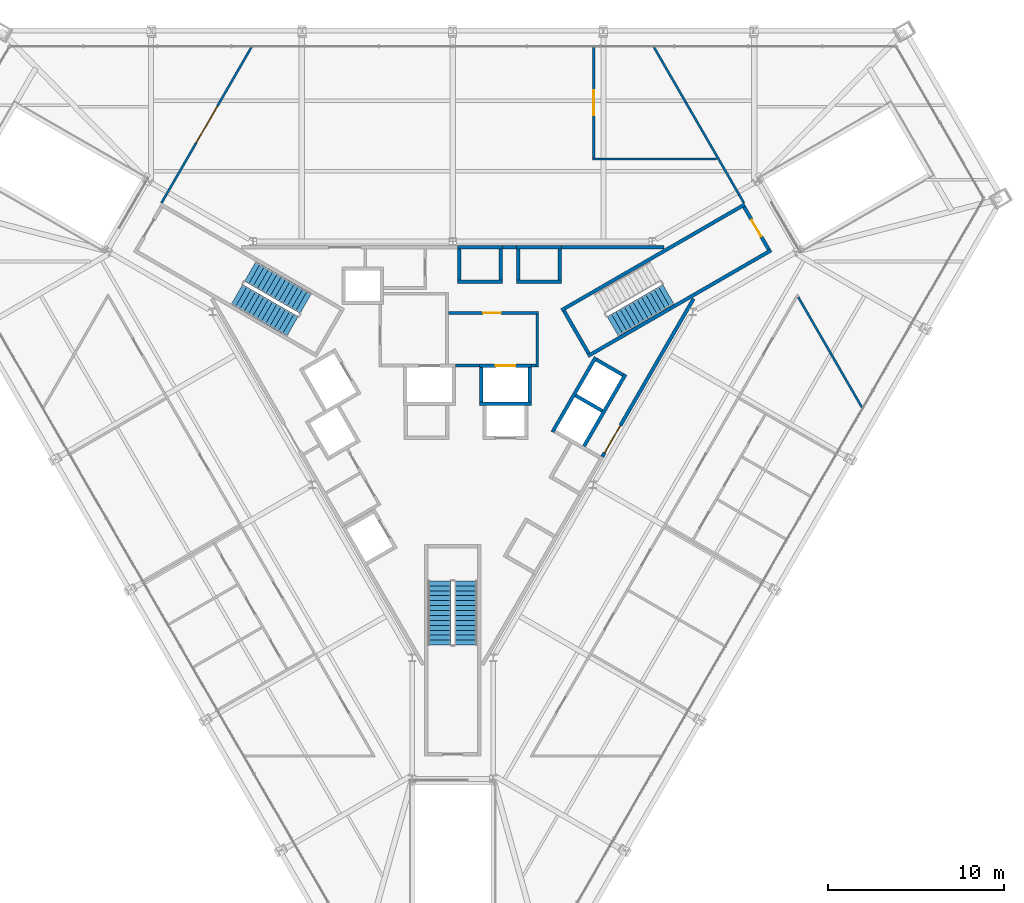
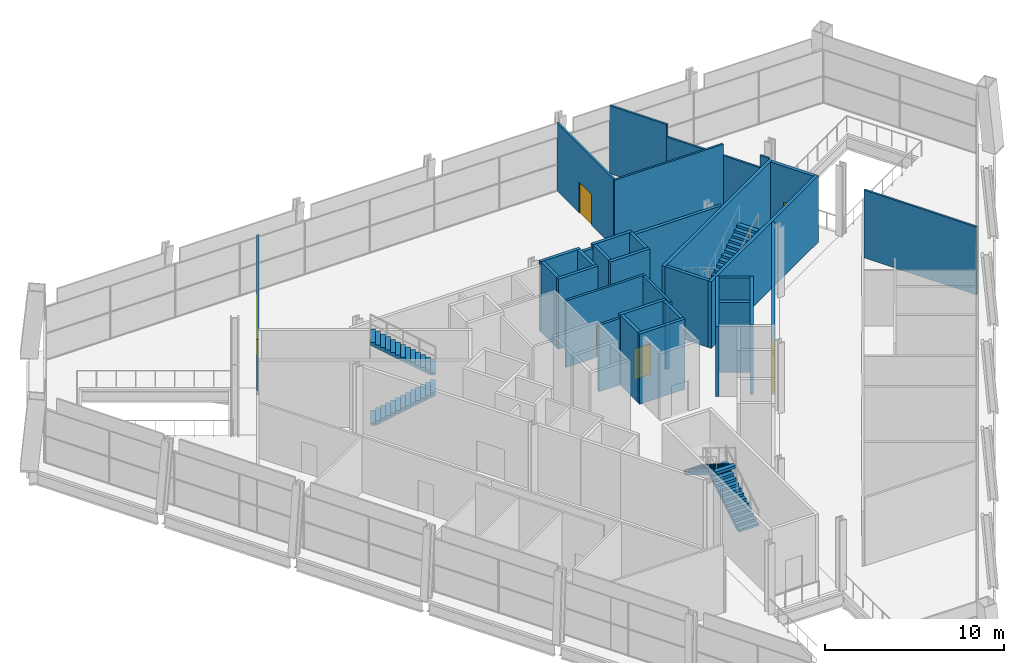
# One storey, part 15 of 18: 34 walls, 6 doors, 5 stair flights, 6 openings, 3 elements without a shape of their own.
"""IFC4 building model written with IfcOpenShell, lengths in metres."""

from ifc_helpers import new_model, si_unit, direction, frame, frame_2d, origin, place, context, subcontext, project, spatial, polyline, rectangle, outline, extrude, material, layer, layer_set, type_object, element, fill, aggregate, save


model = new_model("IFC4")

# Units and contexts
model_context = context("Model", 3, precision=1e-05, world=origin(), true_north=direction((0.0, 1.0)))
body_context = subcontext(model_context, "Body", "Model", "MODEL_VIEW")
ifc_project = project(units=[si_unit("LENGTHUNIT", "METRE"), si_unit("AREAUNIT", "SQUARE_METRE"), si_unit("VOLUMEUNIT", "CUBIC_METRE"), si_unit("PLANEANGLEUNIT", "RADIAN"), si_unit("MASSUNIT", "GRAM", prefix="KILO")], contexts=[model_context])

# Site, building, storey
site_placement = place(None, origin())
site = spatial("IfcSite", under=ifc_project, at=site_placement, CompositionType="ELEMENT")
building_placement = place(site_placement, origin())
building = spatial("IfcBuilding", under=site, at=building_placement, Name="Verrane Prism Tower", CompositionType="ELEMENT")
storey_placement = place(building_placement, frame((0.0, 0.0, 32.0)))
storey = spatial("IfcBuildingStorey", under=building, at=storey_placement, Name="L05", CompositionType="ELEMENT", Elevation=32.0)

# Wall, opening, door
ifc_material_1 = material(Name="Gypsum board partition", Category="other")
ifc_layer_1 = layer(ifc_material_1, 0.125)
ifc_layer_set_1 = layer_set([ifc_layer_1], Name="BW-125 demising wall 1 h")
wall_type_1 = type_object("IfcWallType", Name="BW-125 demising wall 1 h", PredefinedType="PARTITIONING", material=ifc_layer_set_1)
wall_1_placement = place(storey_placement, frame((8.0, 20.27001953125, 0.0), z_axis=(0.0, 0.0, 1.0), x_axis=(0.0, -1.0, 0.0)))
wall_1 = element("IfcWall", 1, at=wall_1_placement, inside=storey, type_object=wall_type_1, Name="Demising wall 014", PredefinedType="PARTITIONING", context=body_context, shape_type="SweptSolid", body=[
    extrude(rectangle(XDim=6.3349609375, YDim=0.125, at=frame_2d((3.16748046875, 0.0))), origin(), (0.0, 0.0, 1.0), 4.639892578125),
])
opening_1_placement = place(wall_1_placement, frame((2.5, 0.0, 0.0)))
opening_1 = element("IfcOpeningElement", 2, at=opening_1_placement, cuts=wall_1, Name="Opening D05017", PredefinedType="OPENING", context=body_context, shape_type="SweptSolid", body=[
    extrude(rectangle(XDim=1.39990234375, YDim=2.10009765625, at=frame_2d((0.699951171875, 1.050048828125))), frame((0.0, 0.072509765625, 0.0), z_axis=(0.0, -1.0, 0.0), x_axis=(1.0, 0.0, 0.0)), (0.0, 0.0, 1.0), 0.14501953125),
])
ifc_material_2 = material(Name="Timber veneered door leaf", Category="wood")
door_type_1 = type_object("IfcDoorType", Name="DR-1400x2100 single leaf room", OperationType="NOTDEFINED", PredefinedType="DOOR", material=ifc_material_2)
door_1_placement = place(opening_1_placement, origin())
door_1 = element("IfcDoor", 3, at=door_1_placement, inside=storey, type_object=door_type_1, Name="Door Banquet Kitchen", OperationType="SINGLE_SWING_RIGHT", OverallHeight=2.10009765625, OverallWidth=1.39990234375, PredefinedType="DOOR", context=body_context, shape_type="SweptSolid", body=[
    extrude(rectangle(XDim=1.39990234375, YDim=2.10009765625, at=frame_2d((0.699951171875, 1.050048828125))), frame((0.0, 0.02490234375, 0.0), z_axis=(0.0, -1.0, 0.0), x_axis=(1.0, 0.0, 0.0)), (0.0, 0.0, 1.0), 0.050048828125),
])
fill(opening_1, door_1)

# Wall
wall_2_placement = place(storey_placement, frame((7.9375, 13.8701171875, 0.0), z_axis=(0.0, 0.0, 1.0), x_axis=(1.0, 0.0, 0.0)))
element("IfcWall", 4, at=wall_2_placement, inside=storey, type_object=wall_type_1, Name="Demising wall 015", PredefinedType="PARTITIONING", context=body_context, shape_type="SweptSolid", body=[
    extrude(rectangle(XDim=7.040283203125, YDim=0.125, at=frame_2d((3.52001953125, 0.0))), origin(), (0.0, 0.0, 1.0), 4.639892578125),
])

# Wall, opening, door
ifc_material_3 = material(Name="Gypsum board partition", Category="other")
ifc_layer_2 = layer(ifc_material_3, 0.125)
ifc_layer_set_2 = layer_set([ifc_layer_2], Name="BW-125 shopfront wall 1 h")
wall_type_2 = type_object("IfcWallType", Name="BW-125 shopfront wall 1 h", PredefinedType="PARTITIONING", material=ifc_layer_set_2)
wall_3_placement = place(storey_placement, frame((-11.39111328125, 20.27001953125, 0.0), z_axis=(0.0, 0.0, 1.0), x_axis=(-0.499978599175, -0.866037759204, 0.0)))
wall_3 = element("IfcWall", 5, at=wall_3_placement, inside=storey, type_object=wall_type_2, Name="Shopfront wall 005", PredefinedType="PARTITIONING", context=body_context, shape_type="SweptSolid", body=[
    extrude(rectangle(XDim=10.25830078125, YDim=0.125, at=frame_2d((5.129150390625, 0.0))), origin(), (0.0, 0.0, 1.0), 3.79296875),
])
opening_2_placement = place(wall_3_placement, frame((3.908203125, 0.0, 0.0)))
opening_2 = element("IfcOpeningElement", 6, at=opening_2_placement, cuts=wall_3, Name="Opening D05016", PredefinedType="OPENING", context=body_context, shape_type="SweptSolid", body=[
    extrude(rectangle(XDim=2.39990234375, YDim=2.39990234375, at=frame_2d((1.199951171875, 1.199951171875))), frame((0.0, 0.072509765625, 0.0), z_axis=(0.0, -1.0, 0.0), x_axis=(1.0, 0.0, 0.0)), (0.0, 0.0, 1.0), 0.14501953125),
])
ifc_material_4 = material(Name="Aluminium and glass door leaf", Category="aluminium")
door_type_2 = type_object("IfcDoorType", Name="DR-2400x2400 FD20 double leaf shopfront", OperationType="NOTDEFINED", PredefinedType="DOOR", material=ifc_material_4)
door_2_placement = place(opening_2_placement, origin())
door_2 = element("IfcDoor", 7, at=door_2_placement, inside=storey, type_object=door_type_2, Name="Door Grand Ballroom", OperationType="DOUBLE_DOOR_SINGLE_SWING", OverallHeight=2.39990234375, OverallWidth=2.39990234375, PredefinedType="DOOR", context=body_context, shape_type="SweptSolid", body=[
    extrude(rectangle(XDim=2.39990234375, YDim=2.39990234375, at=frame_2d((1.199951171875, 1.199951171875))), frame((0.0, 0.02490234375, 0.0), z_axis=(0.0, -1.0, 0.0), x_axis=(1.0, 0.0, 0.0)), (0.0, 0.0, 1.0), 0.050048828125),
])
fill(opening_2, door_2)

# Walls
wall_4_placement = place(storey_placement, frame((11.39111328125, 20.27001953125, 0.0), z_axis=(0.0, 0.0, 1.0), x_axis=(0.500036521051, -0.866004317319, 0.0)))
element("IfcWall", 8, at=wall_4_placement, inside=storey, type_object=wall_type_2, Name="Shopfront wall 017", PredefinedType="PARTITIONING", context=body_context, shape_type="SweptSolid", body=[
    extrude(rectangle(XDim=3.678466796875, YDim=0.125, at=frame_2d((1.83935546875, 0.0))), origin(), (0.0, 0.0, 1.0), 4.639892578125),
])
wall_5_placement = place(storey_placement, frame((13.23046875, 17.08447265625, 0.0), z_axis=(0.0, 0.0, 1.0), x_axis=(0.500062816623, -0.865989133553, 0.0)))
element("IfcWall", 9, at=wall_5_placement, inside=storey, type_object=wall_type_2, Name="Shopfront wall 017", PredefinedType="PARTITIONING", context=body_context, shape_type="SweptSolid", body=[
    extrude(rectangle(XDim=6.022705078125, YDim=0.125, at=frame_2d((3.01123046875, 0.0))), origin(), (0.0, 0.0, 1.0), 3.79296875),
])
wall_6_placement = place(storey_placement, frame((16.2421875, 11.868896484375, 0.0), z_axis=(0.0, 0.0, 1.0), x_axis=(0.500000383388, -0.866025182435, 0.0)))
element("IfcWall", 10, at=wall_6_placement, inside=storey, type_object=wall_type_2, Name="Shopfront wall 017", PredefinedType="PARTITIONING", context=body_context, shape_type="SweptSolid", body=[
    extrude(rectangle(XDim=0.5576171875, YDim=0.125, at=frame_2d((0.27880859375, 0.0))), origin(), (0.0, 0.0, 1.0), 4.639892578125),
])
wall_7_placement = place(storey_placement, frame((19.607421875, 6.0390625, 0.0), z_axis=(0.0, 0.0, 1.0), x_axis=(0.500002873931, -0.866023744513, 0.0)))
element("IfcWall", 11, at=wall_7_placement, inside=storey, type_object=wall_type_2, Name="Shopfront wall 023", PredefinedType="PARTITIONING", context=body_context, shape_type="SweptSolid", body=[
    extrude(rectangle(XDim=7.28515625, YDim=0.125, at=frame_2d((3.642578125, 0.0))), origin(), (0.0, 0.0, 1.0), 4.639892578125),
])
ifc_material_5 = material(Name="Gypsum board partition", Category="other")
ifc_layer_3 = layer(ifc_material_5, 0.199951171875)
ifc_layer_set_3 = layer_set([ifc_layer_3], Name="CW-200 core boundary wall 2 h")
wall_type_3 = type_object("IfcWallType", Name="CW-200 core boundary wall 2 h", PredefinedType="PARTITIONING", material=ifc_layer_set_3)
wall_8_placement = place(storey_placement, frame((2.81689453125, 8.860107421875, 0.0), z_axis=(0.0, 0.0, 1.0), x_axis=(1.0, 0.0, 0.0)))
element("IfcWall", 12, at=wall_8_placement, inside=storey, type_object=wall_type_3, Name="Core boundary wall CW3-005", PredefinedType="PARTITIONING", context=body_context, shape_type="SweptSolid", body=[
    extrude(rectangle(XDim=0.80615234375, YDim=0.199951171875, at=frame_2d((0.403076171875, 0.0))), origin(), (0.0, 0.0, 1.0), 4.550048828125),
])
wall_9_placement = place(storey_placement, frame((6.177001953125, 8.860107421875, 0.0), z_axis=(0.0, 0.0, 1.0), x_axis=(1.0, 0.0, 0.0)))
element("IfcWall", 13, at=wall_9_placement, inside=storey, type_object=wall_type_3, Name="Core boundary wall CW3-007", PredefinedType="PARTITIONING", context=body_context, shape_type="SweptSolid", body=[
    extrude(rectangle(XDim=5.81396484375, YDim=0.199951171875, at=frame_2d((2.906982421875, 0.0))), origin(), (0.0, 0.0, 1.0), 4.550048828125),
])

# Wall, opening, door
wall_10_placement = place(storey_placement, frame((8.491943359375, -3.011962890625, 0.0), z_axis=(0.0, 0.0, 1.0), x_axis=(0.499972957231, 0.866041016371, 0.0)))
wall_10 = element("IfcWall", 14, at=wall_10_placement, inside=storey, type_object=wall_type_3, Name="Core boundary wall CW3-008", PredefinedType="PARTITIONING", context=body_context, shape_type="SweptSolid", body=[
    extrude(rectangle(XDim=10.3486328125, YDim=0.199951171875, at=frame_2d((5.17431640625, 0.0))), origin(), (0.0, 0.0, 1.0), 4.550048828125),
])
opening_3_placement = place(wall_10_placement, frame((0.25, 0.0, 0.0)))
opening_3 = element("IfcOpeningElement", 15, at=opening_3_placement, cuts=wall_10, Name="Opening D05515", PredefinedType="OPENING", context=body_context, shape_type="SweptSolid", body=[
    extrude(rectangle(XDim=1.800048828125, YDim=2.10009765625, at=frame_2d((0.89990234375, 1.050048828125))), frame((0.0, 0.10986328125, 0.0), z_axis=(0.0, -1.0, 0.0), x_axis=(1.0, 0.0, 0.0)), (0.0, 0.0, 1.0), 0.219970703125),
])
ifc_material_6 = material(Name="Timber veneered door leaf", Category="wood")
door_type_3 = type_object("IfcDoorType", Name="DR-1800x2100 FD60 double leaf lift lobby", OperationType="NOTDEFINED", PredefinedType="DOOR", material=ifc_material_6)
door_3_placement = place(opening_3_placement, origin())
door_3 = element("IfcDoor", 16, at=door_3_placement, inside=storey, type_object=door_type_3, Name="Lift lobby door D05515", OperationType="DOUBLE_DOOR_SINGLE_SWING", OverallHeight=2.10009765625, OverallWidth=1.800048828125, PredefinedType="DOOR", context=body_context, shape_type="SweptSolid", body=[
    extrude(rectangle(XDim=1.800048828125, YDim=2.10009765625, at=frame_2d((0.89990234375, 1.050048828125))), frame((0.0, 0.02490234375, 0.0), z_axis=(0.0, -1.0, 0.0), x_axis=(1.0, 0.0, 0.0)), (0.0, 0.0, 1.0), 0.050048828125),
])
fill(opening_3, door_3)

ifc_material_7 = material(Name="Concrete C40/50", Category="concrete")
ifc_layer_4 = layer(ifc_material_7, 0.199951171875)
ifc_layer_set_4 = layer_set([ifc_layer_4], Name="CW-200 stair core wall concrete C40/50 3 h")
wall_type_4 = type_object("IfcWallType", Name="CW-200 stair core wall concrete C40/50 3 h", PredefinedType="PARTITIONING", material=ifc_layer_set_4)
wall_11_placement = place(storey_placement, frame((17.933837890625, 8.737548828125, 0.0), z_axis=(0.0, 0.0, 1.0), x_axis=(-0.49998411664, 0.866034573852, 0.0)))
wall_11 = element("IfcWall", 17, at=wall_11_placement, inside=storey, type_object=wall_type_4, Name="Stair 1 enclosure wall", PredefinedType="PARTITIONING", context=body_context, shape_type="SweptSolid", body=[
    extrude(rectangle(XDim=2.7998046875, YDim=0.199951171875, at=frame_2d((1.39990234375, 0.0))), origin(), (0.0, 0.0, 1.0), 4.550048828125),
])
opening_4_placement = place(wall_11_placement, frame((0.849853515625, 0.0, 0.0)))
opening_4 = element("IfcOpeningElement", 18, at=opening_4_placement, cuts=wall_11, Name="Opening D05500", PredefinedType="OPENING", context=body_context, shape_type="SweptSolid", body=[
    extrude(rectangle(XDim=1.10009765625, YDim=2.10009765625, at=frame_2d((0.550048828125, 1.050048828125))), frame((0.0, 0.10986328125, 0.0), z_axis=(0.0, -1.0, 0.0), x_axis=(1.0, 0.0, 0.0)), (0.0, 0.0, 1.0), 0.219970703125),
])
ifc_material_8 = material(Name="Timber veneered door leaf", Category="wood")
door_type_4 = type_object("IfcDoorType", Name="DR-1100x2100 FD90 single leaf stair", OperationType="NOTDEFINED", PredefinedType="DOOR", material=ifc_material_8)
door_4_placement = place(opening_4_placement, origin())
door_4 = element("IfcDoor", 19, at=door_4_placement, inside=storey, type_object=door_type_4, Name="Stair 1 door", OperationType="SINGLE_SWING_LEFT", OverallHeight=2.10009765625, OverallWidth=1.10009765625, PredefinedType="DOOR", context=body_context, shape_type="SweptSolid", body=[
    extrude(rectangle(XDim=1.10009765625, YDim=2.10009765625, at=frame_2d((0.550048828125, 1.050048828125))), frame((0.0, 0.02490234375, 0.0), z_axis=(0.0, -1.0, 0.0), x_axis=(1.0, 0.0, 0.0)), (0.0, 0.0, 1.0), 0.050048828125),
])
fill(opening_4, door_4)

# Walls
for number, where, z_axis, x_axis, name in (
    (20, (6.17822265625, 5.299072265625, 0.0), (0.0, 0.0, 1.0), (0.866026010844, 0.49999894854, 0.0), "Stair 1 enclosure wall"),
    (21, (7.67822265625, 2.700927734375, 0.0), (0.0, 0.0, 1.0), (0.866026010844, 0.49999894854, 0.0), "Stair 1 enclosure wall"),
):
    element("IfcWall", number, at=place(storey_placement, frame(where, z_axis=z_axis, x_axis=x_axis)), inside=storey, type_object=wall_type_4, Name=name, PredefinedType="PARTITIONING", context=body_context, shape_type="SweptSolid", body=[
        extrude(rectangle(XDim=12.0, YDim=0.199951171875, at=frame_2d((6.0, 0.0))), origin(), (0.0, 0.0, 1.0), 4.550048828125),
    ])
wall_12_placement = place(storey_placement, frame((7.71484375, 2.837646484375, 0.0), z_axis=(0.0, 0.0, 1.0), x_axis=(-0.500049511043, 0.865996816683, 0.0)))
element("IfcWall", 22, at=wall_12_placement, inside=storey, type_object=wall_type_4, Name="Stair 1 enclosure wall", PredefinedType="PARTITIONING", context=body_context, shape_type="SweptSolid", body=[
    extrude(rectangle(XDim=2.800048828125, YDim=0.199951171875, at=frame_2d((1.39990234375, 0.0))), origin(), (0.0, 0.0, 1.0), 4.550048828125),
])
ifc_material_9 = material(Name="Gypsum board shaft wall assembly", Category="other")
ifc_layer_5 = layer(ifc_material_9, 0.199951171875)
ifc_layer_set_5 = layer_set([ifc_layer_5], Name="HW-200 lift shaft wall 2 h")
wall_type_5 = type_object("IfcWallType", Name="HW-200 lift shaft wall 2 h", PredefinedType="PARTITIONING", material=ifc_layer_set_5)
wall_13_placement = place(storey_placement, frame((1.52490234375, 0.0, 0.0), z_axis=(0.0, 0.0, 1.0), x_axis=(1.0, 0.0, 0.0)))
element("IfcWall", 23, at=wall_13_placement, inside=storey, type_object=wall_type_5, Name="Lift shaft wall", PredefinedType="PARTITIONING", context=body_context, shape_type="SweptSolid", body=[
    extrude(rectangle(XDim=2.9501953125, YDim=0.199951171875, at=frame_2d((1.47509765625, 0.0))), origin(), (0.0, 0.0, 1.0), 4.800048828125),
])

# Wall, opening, door
wall_14_placement = place(storey_placement, frame((1.52490234375, 2.14990234375, 0.0), z_axis=(0.0, 0.0, 1.0), x_axis=(1.0, 0.0, 0.0)))
wall_14 = element("IfcWall", 24, at=wall_14_placement, inside=storey, type_object=wall_type_5, Name="Lift shaft wall", PredefinedType="PARTITIONING", context=body_context, shape_type="SweptSolid", body=[
    extrude(rectangle(XDim=2.9501953125, YDim=0.199951171875, at=frame_2d((1.47509765625, 0.0))), origin(), (0.0, 0.0, 1.0), 4.800048828125),
])
opening_5_placement = place(wall_14_placement, frame((0.925048828125, 0.0, 0.0)))
opening_5 = element("IfcOpeningElement", 25, at=opening_5_placement, cuts=wall_14, Name="Opening D05504", PredefinedType="OPENING", context=body_context, shape_type="SweptSolid", body=[
    extrude(rectangle(XDim=1.10009765625, YDim=2.10009765625, at=frame_2d((0.550048828125, 1.050048828125))), frame((0.0, 0.10986328125, 0.0), z_axis=(0.0, -1.0, 0.0), x_axis=(1.0, 0.0, 0.0)), (0.0, 0.0, 1.0), 0.219970703125),
])
ifc_material_10 = material(Name="Stainless steel sliding landing door", Category="steel")
door_type_5 = type_object("IfcDoorType", Name="LD-1100x2100 lift landing door FD90 sliding", OperationType="NOTDEFINED", PredefinedType="DOOR", material=ifc_material_10)
door_5_placement = place(opening_5_placement, origin())
door_5 = element("IfcDoor", 26, at=door_5_placement, inside=storey, type_object=door_type_5, Name="Fire service lift 2 landing door", OperationType="SLIDING_TO_RIGHT", OverallHeight=2.10009765625, OverallWidth=1.10009765625, PredefinedType="DOOR", context=body_context, shape_type="SweptSolid", body=[
    extrude(rectangle(XDim=1.10009765625, YDim=2.10009765625, at=frame_2d((0.550048828125, 1.050048828125))), frame((0.0, 0.02490234375, 0.0), z_axis=(0.0, -1.0, 0.0), x_axis=(1.0, 0.0, 0.0)), (0.0, 0.0, 1.0), 0.050048828125),
])
fill(opening_5, door_5)

# Walls
for number, where, z_axis, x_axis, name in (
    (27, (0.264892578125, 6.909912109375, 0.0), (0.0, 0.0, 1.0), (1.0, 0.0, 0.0), "Lift shaft wall"),
    (28, (3.625, 6.909912109375, 0.0), (0.0, 0.0, 1.0), (1.0, 0.0, 0.0), "Lift shaft wall"),
    (29, (0.264892578125, 8.860107421875, 0.0), (0.0, 0.0, 1.0), (1.0, 0.0, 0.0), "Lift shaft wall"),
    (30, (3.625, 8.860107421875, 0.0), (0.0, 0.0, 1.0), (1.0, 0.0, 0.0), "Lift shaft wall"),
):
    element("IfcWall", number, at=place(storey_placement, frame(where, z_axis=z_axis, x_axis=x_axis)), inside=storey, type_object=wall_type_5, Name=name, PredefinedType="PARTITIONING", context=body_context, shape_type="SweptSolid", body=[
        extrude(rectangle(XDim=2.550048828125, YDim=0.199951171875, at=frame_2d((1.27490234375, 0.0))), origin(), (0.0, 0.0, 1.0), 4.800048828125),
    ])
wall_15_placement = place(storey_placement, frame((7.451171875, -2.4140625, 0.0), z_axis=(0.0, 0.0, 1.0), x_axis=(0.500016218704, 0.866016039709, 0.0)))
element("IfcWall", 31, at=wall_15_placement, inside=storey, type_object=wall_type_5, Name="Lift shaft wall", PredefinedType="PARTITIONING", context=body_context, shape_type="SweptSolid", body=[
    extrude(rectangle(XDim=4.699951171875, YDim=0.199951171875, at=frame_2d((2.35009765625, 0.0))), origin(), (0.0, 0.0, 1.0), 4.800048828125),
])
wall_16_placement = place(storey_placement, frame((5.66259765625, -1.6123046875, 0.0), z_axis=(0.0, 0.0, 1.0), x_axis=(0.49998122708, 0.866036242063, 0.0)))
element("IfcWall", 32, at=wall_16_placement, inside=storey, type_object=wall_type_5, Name="Lift shaft wall", PredefinedType="PARTITIONING", context=body_context, shape_type="SweptSolid", body=[
    extrude(rectangle(XDim=4.900146484375, YDim=0.199951171875, at=frame_2d((2.4501953125, 0.0))), origin(), (0.0, 0.0, 1.0), 4.800048828125),
])
wall_17_placement = place(storey_placement, frame((6.074951171875, 7.010009765625, 0.0), z_axis=(0.0, 0.0, 1.0), x_axis=(0.0, 1.0, 0.0)))
element("IfcWall", 33, at=wall_17_placement, inside=storey, type_object=wall_type_5, Name="Lift shaft wall", PredefinedType="PARTITIONING", context=body_context, shape_type="SweptSolid", body=[
    extrude(rectangle(XDim=1.75, YDim=0.199951171875, at=frame_2d((0.875, 0.0))), origin(), (0.0, 0.0, 1.0), 4.800048828125),
])
wall_18_placement = place(storey_placement, frame((4.375, 0.10009765625, 0.0), z_axis=(0.0, 0.0, 1.0), x_axis=(0.0, 1.0, 0.0)))
element("IfcWall", 34, at=wall_18_placement, inside=storey, type_object=wall_type_5, Name="Lift shaft wall", PredefinedType="PARTITIONING", context=body_context, shape_type="SweptSolid", body=[
    extrude(rectangle(XDim=1.949951171875, YDim=0.199951171875, at=frame_2d((0.97509765625, 0.0))), origin(), (0.0, 0.0, 1.0), 4.800048828125),
])
for number, where, z_axis, x_axis, name in (
    (35, (3.72509765625, 7.010009765625, 0.0), (0.0, 0.0, 1.0), (0.0, 1.0, 0.0), "Lift shaft wall"),
    (36, (2.715087890625, 7.010009765625, 0.0), (0.0, 0.0, 1.0), (0.0, 1.0, 0.0), "Lift shaft wall"),
):
    element("IfcWall", number, at=place(storey_placement, frame(where, z_axis=z_axis, x_axis=x_axis)), inside=storey, type_object=wall_type_5, Name=name, PredefinedType="PARTITIONING", context=body_context, shape_type="SweptSolid", body=[
        extrude(rectangle(XDim=1.75, YDim=0.199951171875, at=frame_2d((0.875, 0.0))), origin(), (0.0, 0.0, 1.0), 4.800048828125),
    ])
wall_19_placement = place(storey_placement, frame((1.625, 0.10009765625, 0.0), z_axis=(0.0, 0.0, 1.0), x_axis=(0.0, 1.0, 0.0)))
element("IfcWall", 37, at=wall_19_placement, inside=storey, type_object=wall_type_5, Name="Lift shaft wall", PredefinedType="PARTITIONING", context=body_context, shape_type="SweptSolid", body=[
    extrude(rectangle(XDim=1.949951171875, YDim=0.199951171875, at=frame_2d((0.97509765625, 0.0))), origin(), (0.0, 0.0, 1.0), 4.800048828125),
])
wall_20_placement = place(storey_placement, frame((0.364990234375, 7.010009765625, 0.0), z_axis=(0.0, 0.0, 1.0), x_axis=(0.0, 1.0, 0.0)))
element("IfcWall", 38, at=wall_20_placement, inside=storey, type_object=wall_type_5, Name="Lift shaft wall", PredefinedType="PARTITIONING", context=body_context, shape_type="SweptSolid", body=[
    extrude(rectangle(XDim=1.75, YDim=0.199951171875, at=frame_2d((0.875, 0.0))), origin(), (0.0, 0.0, 1.0), 4.800048828125),
])
wall_21_placement = place(storey_placement, frame((9.66455078125, 1.61962890625, 0.0), z_axis=(0.0, 0.0, 1.0), x_axis=(-0.866002029911, 0.500040482552, 0.0)))
element("IfcWall", 39, at=wall_21_placement, inside=storey, type_object=wall_type_5, Name="Lift shaft wall", PredefinedType="PARTITIONING", context=body_context, shape_type="SweptSolid", body=[
    extrude(rectangle(XDim=1.749755859375, YDim=0.199951171875, at=frame_2d((0.875, 0.0))), origin(), (0.0, 0.0, 1.0), 4.800048828125),
])
wall_22_placement = place(storey_placement, frame((8.48974609375, -0.41552734375, 0.0), z_axis=(0.0, 0.0, 1.0), x_axis=(-0.866036909293, 0.499980071345, 0.0)))
element("IfcWall", 40, at=wall_22_placement, inside=storey, type_object=wall_type_5, Name="Lift shaft wall", PredefinedType="PARTITIONING", context=body_context, shape_type="SweptSolid", body=[
    extrude(rectangle(XDim=1.75, YDim=0.199951171875, at=frame_2d((0.875, 0.0))), origin(), (0.0, 0.0, 1.0), 4.800048828125),
])

# Wall, opening, door
ifc_material_11 = material(Name="Gypsum board partition", Category="other")
ifc_layer_6 = layer(ifc_material_11, 0.14990234375)
ifc_layer_set_6 = layer_set([ifc_layer_6], Name="LF-150 firefighting lobby wall 1 h")
wall_type_6 = type_object("IfcWallType", Name="LF-150 firefighting lobby wall 1 h", PredefinedType="PARTITIONING", material=ifc_layer_set_6)
wall_23_placement = place(storey_placement, frame((-0.2451171875, 5.139892578125, 0.0), z_axis=(0.0, 0.0, 1.0), x_axis=(1.0, 0.0, 0.0)))
wall_23 = element("IfcWall", 41, at=wall_23_placement, inside=storey, type_object=wall_type_6, Name="Firefighting lobby wall LF1-005", PredefinedType="PARTITIONING", context=body_context, shape_type="SweptSolid", body=[
    extrude(rectangle(XDim=5.110107421875, YDim=0.14990234375, at=frame_2d((2.55517578125, 0.0))), origin(), (0.0, 0.0, 1.0), 4.550048828125),
])
opening_6_placement = place(wall_23_placement, frame((1.97509765625, 0.0, 0.0)))
opening_6 = element("IfcOpeningElement", 42, at=opening_6_placement, cuts=wall_23, Name="Opening D05514", PredefinedType="OPENING", context=body_context, shape_type="SweptSolid", body=[
    extrude(rectangle(XDim=1.0, YDim=2.10009765625, at=frame_2d((0.5, 1.050048828125))), frame((0.0, 0.0849609375, 0.0), z_axis=(0.0, -1.0, 0.0), x_axis=(1.0, 0.0, 0.0)), (0.0, 0.0, 1.0), 0.169921875),
])
ifc_material_12 = material(Name="Timber veneered door leaf", Category="wood")
door_type_6 = type_object("IfcDoorType", Name="DR-1000x2100 FD60 single leaf firefighting lobby", OperationType="NOTDEFINED", PredefinedType="DOOR", material=ifc_material_12)
door_6_placement = place(opening_6_placement, origin())
door_6 = element("IfcDoor", 43, at=door_6_placement, inside=storey, type_object=door_type_6, Name="Firefighting lobby door D05514", OperationType="SINGLE_SWING_RIGHT", OverallHeight=2.10009765625, OverallWidth=1.0, PredefinedType="DOOR", context=body_context, shape_type="SweptSolid", body=[
    extrude(rectangle(XDim=1.0, YDim=2.10009765625, at=frame_2d((0.5, 1.050048828125))), frame((0.0, 0.02490234375, 0.0), z_axis=(0.0, -1.0, 0.0), x_axis=(1.0, 0.0, 0.0)), (0.0, 0.0, 1.0), 0.050048828125),
])
fill(opening_6, door_6)

# Walls
wall_24_placement = place(storey_placement, frame((0.1669921875, 2.159912109375, 0.0), z_axis=(0.0, 0.0, 1.0), x_axis=(1.0, 0.0, 0.0)))
element("IfcWall", 44, at=wall_24_placement, inside=storey, type_object=wall_type_6, Name="Firefighting lobby wall LF1-006", PredefinedType="PARTITIONING", context=body_context, shape_type="SweptSolid", body=[
    extrude(rectangle(XDim=1.35595703125, YDim=0.14990234375, at=frame_2d((0.677978515625, 0.0))), origin(), (0.0, 0.0, 1.0), 4.550048828125),
])
wall_25_placement = place(storey_placement, frame((4.47705078125, 2.159912109375, 0.0), z_axis=(0.0, 0.0, 1.0), x_axis=(1.0, 0.0, 0.0)))
element("IfcWall", 45, at=wall_25_placement, inside=storey, type_object=wall_type_6, Name="Firefighting lobby wall LF1-007", PredefinedType="PARTITIONING", context=body_context, shape_type="SweptSolid", body=[
    extrude(rectangle(XDim=0.238037109375, YDim=0.14990234375, at=frame_2d((0.119140625, 0.0))), origin(), (0.0, 0.0, 1.0), 4.550048828125),
])
wall_26_placement = place(storey_placement, frame((4.7900390625, 2.0849609375, 0.0), z_axis=(0.0, 0.0, 1.0), x_axis=(0.0, 1.0, 0.0)))
element("IfcWall", 46, at=wall_26_placement, inside=storey, type_object=wall_type_6, Name="Firefighting lobby wall LF1-008", PredefinedType="PARTITIONING", context=body_context, shape_type="SweptSolid", body=[
    extrude(rectangle(XDim=2.97998046875, YDim=0.14990234375, at=frame_2d((1.489990234375, 0.0))), origin(), (0.0, 0.0, 1.0), 4.550048828125),
])

# Stair, stair flight
ifc_material_13 = material(Name="Concrete C40/50", Category="concrete")
stair_type = type_object("IfcStairType", Name="Exit stair 1300 dog-leg precast concrete C40/50", PredefinedType="HALF_TURN_STAIR", material=ifc_material_13)
stair_1_placement = place(storey_placement, origin())
stair_1 = element("IfcStair", 47, at=stair_1_placement, inside=storey, type_object=stair_type, Name="Stair 1 L05", PredefinedType="HALF_TURN_STAIR")
ifc_material_14 = material(Name="Concrete C40/50", Category="concrete")
stair_flight_type = type_object("IfcStairFlightType", Name="Stair flight 1300 precast concrete C40/50", PredefinedType="STRAIGHT", material=ifc_material_14)
stair_flight_1_placement = place(storey_placement, frame((9.087158203125, 4.38037109375, 2.39990234375), z_axis=(0.0, 0.0, 1.0), x_axis=(0.866025403784, 0.5, 0.0)))
stair_flight_1 = element("IfcStairFlight", 48, at=stair_flight_1_placement, type_object=stair_flight_type, Name="Stair 1 flight 2", NumberOfRisers=14, NumberOfTreads=13, PredefinedType="STRAIGHT", RiserHeight=0.171428571, TreadLength=0.28, context=body_context, shape_type="SweptSolid", body=[
    extrude(outline(polyline([(0.0, 0.0), (0.0, 0.17138671875), (0.280029296875, 0.17138671875), (0.280029296875, 0.3427734375), (0.56005859375, 0.3427734375), (0.56005859375, 0.514404296875), (0.840087890625, 0.514404296875), (0.840087890625, 0.685791015625), (1.1201171875, 0.685791015625), (1.1201171875, 0.857177734375), (1.39990234375, 0.857177734375), (1.39990234375, 1.028564453125), (1.679931640625, 1.028564453125), (1.679931640625, 1.199951171875), (1.9599609375, 1.199951171875), (1.9599609375, 1.371337890625), (2.239990234375, 1.371337890625), (2.239990234375, 1.54296875), (2.52001953125, 1.54296875), (2.52001953125, 1.71435546875), (2.800048828125, 1.71435546875), (2.800048828125, 1.8857421875), (3.080078125, 1.8857421875), (3.080078125, 2.05712890625), (3.360107421875, 2.05712890625), (3.360107421875, 2.228515625), (3.639892578125, 2.228515625), (3.639892578125, 2.39990234375), (3.639892578125, 2.052734375), (0.287109375, 0.0), (0.0, 0.0)])), frame((0.0, 0.64990234375, 0.0), z_axis=(0.0, -1.0, 0.0), x_axis=(1.0, 0.0, 0.0)), (0.0, 0.0, 1.0), 1.300048828125),
])
aggregate(stair_1, [stair_flight_1])

# Stair, stair flights
stair_2_placement = place(storey_placement, origin())
stair_2 = element("IfcStair", 49, at=stair_2_placement, inside=storey, type_object=stair_type, Name="Stair 2 L05", PredefinedType="HALF_TURN_STAIR")
stair_flight_2_placement = place(storey_placement, frame((-12.239501953125, 6.200439453125, 0.0), z_axis=(0.0, 0.0, 1.0), x_axis=(0.866025403784, -0.5, 0.0)))
stair_flight_2 = element("IfcStairFlight", 50, at=stair_flight_2_placement, type_object=stair_flight_type, Name="Stair 2 flight 1", NumberOfRisers=14, NumberOfTreads=13, PredefinedType="STRAIGHT", RiserHeight=0.171428571, TreadLength=0.28, context=body_context, shape_type="SweptSolid", body=[
    extrude(outline(polyline([(0.0, 0.0), (0.0, 0.17138671875), (0.280029296875, 0.17138671875), (0.280029296875, 0.3427734375), (0.56005859375, 0.3427734375), (0.56005859375, 0.514404296875), (0.840087890625, 0.514404296875), (0.840087890625, 0.685791015625), (1.1201171875, 0.685791015625), (1.1201171875, 0.857177734375), (1.39990234375, 0.857177734375), (1.39990234375, 1.028564453125), (1.679931640625, 1.028564453125), (1.679931640625, 1.199951171875), (1.9599609375, 1.199951171875), (1.9599609375, 1.371337890625), (2.239990234375, 1.371337890625), (2.239990234375, 1.54296875), (2.52001953125, 1.54296875), (2.52001953125, 1.71435546875), (2.800048828125, 1.71435546875), (2.800048828125, 1.8857421875), (3.080078125, 1.8857421875), (3.080078125, 2.05712890625), (3.360107421875, 2.05712890625), (3.360107421875, 2.228515625), (3.639892578125, 2.228515625), (3.639892578125, 2.39990234375), (3.639892578125, 2.052734375), (0.287109375, 0.0), (0.0, 0.0)])), frame((0.0, 0.64990234375, 0.0), z_axis=(0.0, -1.0, 0.0), x_axis=(1.0, 0.0, 0.0)), (0.0, 0.0, 1.0), 1.300048828125),
])
stair_flight_3_placement = place(storey_placement, frame((-8.337158203125, 5.679443359375, 2.39990234375), z_axis=(0.0, 0.0, 1.0), x_axis=(-0.866025403784, 0.5, 0.0)))
stair_flight_3 = element("IfcStairFlight", 51, at=stair_flight_3_placement, type_object=stair_flight_type, Name="Stair 2 flight 2", NumberOfRisers=14, NumberOfTreads=13, PredefinedType="STRAIGHT", RiserHeight=0.171428571, TreadLength=0.28, context=body_context, shape_type="SweptSolid", body=[
    extrude(outline(polyline([(0.0, 0.0), (0.0, 0.17138671875), (0.280029296875, 0.17138671875), (0.280029296875, 0.3427734375), (0.56005859375, 0.3427734375), (0.56005859375, 0.514404296875), (0.840087890625, 0.514404296875), (0.840087890625, 0.685791015625), (1.1201171875, 0.685791015625), (1.1201171875, 0.857177734375), (1.39990234375, 0.857177734375), (1.39990234375, 1.028564453125), (1.679931640625, 1.028564453125), (1.679931640625, 1.199951171875), (1.9599609375, 1.199951171875), (1.9599609375, 1.371337890625), (2.239990234375, 1.371337890625), (2.239990234375, 1.54296875), (2.52001953125, 1.54296875), (2.52001953125, 1.71435546875), (2.800048828125, 1.71435546875), (2.800048828125, 1.8857421875), (3.080078125, 1.8857421875), (3.080078125, 2.05712890625), (3.360107421875, 2.05712890625), (3.360107421875, 2.228515625), (3.639892578125, 2.228515625), (3.639892578125, 2.39990234375), (3.639892578125, 2.052734375), (0.287109375, 0.0), (0.0, 0.0)])), frame((0.0, 0.64990234375, 0.0), z_axis=(0.0, -1.0, 0.0), x_axis=(1.0, 0.0, 0.0)), (0.0, 0.0, 1.0), 1.300048828125),
])
aggregate(stair_2, [stair_flight_2, stair_flight_3])

stair_3_placement = place(storey_placement, origin())
stair_3 = element("IfcStair", 52, at=stair_3_placement, inside=storey, type_object=stair_type, Name="Stair 3 L05", PredefinedType="HALF_TURN_STAIR")
stair_flight_4_placement = place(storey_placement, frame((0.75, -13.699951171875, 0.0), z_axis=(0.0, 0.0, 1.0), x_axis=(0.0, 1.0, 0.0)))
stair_flight_4 = element("IfcStairFlight", 53, at=stair_flight_4_placement, type_object=stair_flight_type, Name="Stair 3 flight 1", NumberOfRisers=14, NumberOfTreads=13, PredefinedType="STRAIGHT", RiserHeight=0.171428571, TreadLength=0.28, context=body_context, shape_type="SweptSolid", body=[
    extrude(outline(polyline([(0.0, 0.0), (0.0, 0.17138671875), (0.280029296875, 0.17138671875), (0.280029296875, 0.3427734375), (0.56005859375, 0.3427734375), (0.56005859375, 0.514404296875), (0.840087890625, 0.514404296875), (0.840087890625, 0.685791015625), (1.1201171875, 0.685791015625), (1.1201171875, 0.857177734375), (1.39990234375, 0.857177734375), (1.39990234375, 1.028564453125), (1.679931640625, 1.028564453125), (1.679931640625, 1.199951171875), (1.9599609375, 1.199951171875), (1.9599609375, 1.371337890625), (2.239990234375, 1.371337890625), (2.239990234375, 1.54296875), (2.52001953125, 1.54296875), (2.52001953125, 1.71435546875), (2.800048828125, 1.71435546875), (2.800048828125, 1.8857421875), (3.080078125, 1.8857421875), (3.080078125, 2.05712890625), (3.360107421875, 2.05712890625), (3.360107421875, 2.228515625), (3.639892578125, 2.228515625), (3.639892578125, 2.39990234375), (3.639892578125, 2.052734375), (0.287109375, 0.0), (0.0, 0.0)])), frame((0.0, 0.64990234375, 0.0), z_axis=(0.0, -1.0, 0.0), x_axis=(1.0, 0.0, 0.0)), (0.0, 0.0, 1.0), 1.300048828125),
])
stair_flight_5_placement = place(storey_placement, frame((-0.75, -10.06005859375, 2.39990234375), z_axis=(0.0, 0.0, 1.0), x_axis=(0.0, -1.0, 0.0)))
stair_flight_5 = element("IfcStairFlight", 54, at=stair_flight_5_placement, type_object=stair_flight_type, Name="Stair 3 flight 2", NumberOfRisers=14, NumberOfTreads=13, PredefinedType="STRAIGHT", RiserHeight=0.171428571, TreadLength=0.28, context=body_context, shape_type="SweptSolid", body=[
    extrude(outline(polyline([(0.0, 0.0), (0.0, 0.17138671875), (0.280029296875, 0.17138671875), (0.280029296875, 0.3427734375), (0.56005859375, 0.3427734375), (0.56005859375, 0.514404296875), (0.840087890625, 0.514404296875), (0.840087890625, 0.685791015625), (1.1201171875, 0.685791015625), (1.1201171875, 0.857177734375), (1.39990234375, 0.857177734375), (1.39990234375, 1.028564453125), (1.679931640625, 1.028564453125), (1.679931640625, 1.199951171875), (1.9599609375, 1.199951171875), (1.9599609375, 1.371337890625), (2.239990234375, 1.371337890625), (2.239990234375, 1.54296875), (2.52001953125, 1.54296875), (2.52001953125, 1.71435546875), (2.800048828125, 1.71435546875), (2.800048828125, 1.8857421875), (3.080078125, 1.8857421875), (3.080078125, 2.05712890625), (3.360107421875, 2.05712890625), (3.360107421875, 2.228515625), (3.639892578125, 2.228515625), (3.639892578125, 2.39990234375), (3.639892578125, 2.052734375), (0.287109375, 0.0), (0.0, 0.0)])), frame((0.0, 0.64990234375, 0.0), z_axis=(0.0, -1.0, 0.0), x_axis=(1.0, 0.0, 0.0)), (0.0, 0.0, 1.0), 1.300048828125),
])
aggregate(stair_3, [stair_flight_4, stair_flight_5])

save(model, "model.ifc")
